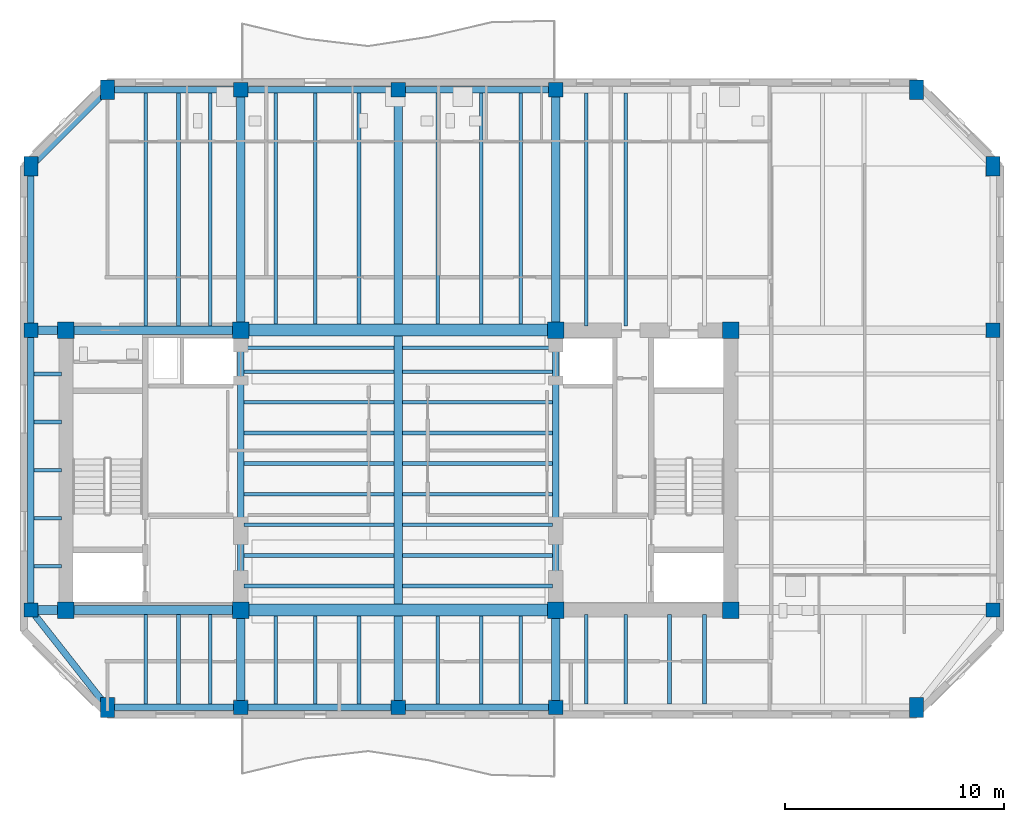
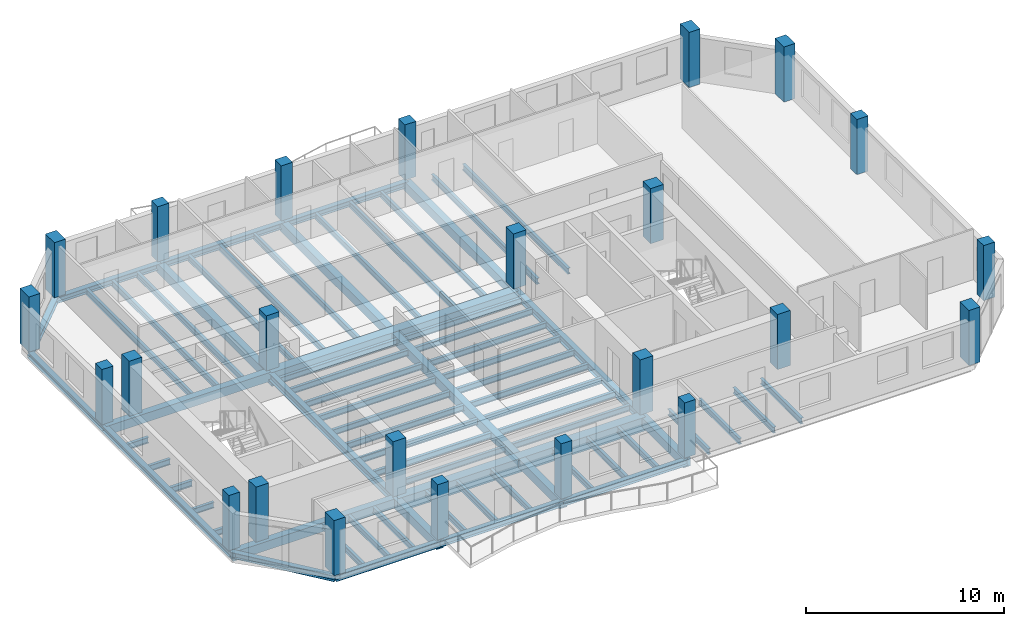
# One storey, part 1 of 9: 70 beams, 24 columns.
"""IFC4 building model written with IfcOpenShell, lengths in metres."""

from ifc_helpers import new_model, si_unit, direction, frame, origin, origin_2d, place, context, subcontext, project, spatial, rectangle, i_section, extrude, material, material_profile, profile_set, type_object, element, save


model = new_model("IFC4")

# Units and contexts
model_context = context("Model", 3, precision=1e-05, world=origin(), true_north=direction((0.0, 1.0)))
body_context = subcontext(model_context, "Body", "Model", "MODEL_VIEW")
ifc_project = project(units=[si_unit("LENGTHUNIT", "METRE"), si_unit("AREAUNIT", "SQUARE_METRE"), si_unit("VOLUMEUNIT", "CUBIC_METRE"), si_unit("PLANEANGLEUNIT", "RADIAN"), si_unit("MASSUNIT", "GRAM", prefix="KILO")], contexts=[model_context])

# Site, building, storey
site_placement = place(None, origin())
site = spatial("IfcSite", under=ifc_project, at=site_placement, CompositionType="ELEMENT")
building_placement = place(site_placement, origin())
building = spatial("IfcBuilding", under=site, at=building_placement, Name="Kranthara Brick Stack", CompositionType="ELEMENT")
storey_placement = place(building_placement, frame((0.0, 0.0, 261.89990234375)))
storey = spatial("IfcBuildingStorey", under=building, at=storey_placement, Name="L69", CompositionType="ELEMENT", Elevation=261.89990234375)

# Columns
ifc_material_1 = material(Name="Concrete C50/60", Category="concrete")
ifc_material_profile_1 = material_profile(ifc_material_1, rectangle(XDim=0.64990234375, YDim=0.89990234375, at=origin_2d()), Name="RC 650x900")
ifc_profile_set_1 = profile_set([ifc_material_profile_1], Name="Concrete C50/60")
column_type_1 = type_object("IfcColumnType", Name="COL-CHAM-650x900", PredefinedType="COLUMN", material=ifc_profile_set_1)
for number, where, z_axis, x_axis, name in (
    (1, (14.699951171875, 16.35009765625, 0.0), (0.0, 0.0, 1.0), (1.0, 0.0, 0.0), "L69 Column 09"),
    (2, (14.699951171875, 44.60009765625, 0.0), (0.0, 0.0, 1.0), (1.0, 0.0, 0.0), "L69 Column 10"),
    (3, (51.699951171875, 16.35009765625, 0.0), (0.0, 0.0, 1.0), (1.0, 0.0, 0.0), "L69 Column 17"),
    (4, (51.699951171875, 44.60009765625, 0.0), (0.0, 0.0, 1.0), (1.0, 0.0, 0.0), "L69 Column 18"),
    (5, (11.199951171875, 41.10009765625, 0.0), (0.0, 0.0, 1.0), (1.0, 0.0, 0.0), "L69 Column 23"),
    (6, (55.199951171875, 41.10009765625, 0.0), (0.0, 0.0, 1.0), (1.0, 0.0, 0.0), "L69 Column 24"),
):
    element("IfcColumn", number, at=place(storey_placement, frame(where, z_axis=z_axis, x_axis=x_axis)), inside=storey, type_object=column_type_1, Name=name, PredefinedType="COLUMN", context=body_context, shape_type="SweptSolid", body=[
        extrude(rectangle(XDim=0.64990234375, YDim=0.89990234375, at=origin_2d()), origin(), (0.0, 0.0, 1.0), 3.400146484375),
    ])
ifc_material_2 = material(Name="Concrete C50/60", Category="concrete")
ifc_material_profile_2 = material_profile(ifc_material_2, rectangle(XDim=0.75, YDim=0.75, at=origin_2d()), Name="RC 750x750")
ifc_profile_set_2 = profile_set([ifc_material_profile_2], Name="Concrete C50/60")
column_type_2 = type_object("IfcColumnType", Name="COL-CORE-750", PredefinedType="COLUMN", material=ifc_profile_set_2)
for number, where, z_axis, x_axis, name in (
    (7, (12.800048828125, 20.800048828125, 0.0), (0.0, 0.0, 1.0), (1.0, 0.0, 0.0), "L69 Column 01"),
    (8, (20.800048828125, 20.800048828125, 0.0), (0.0, 0.0, 1.0), (1.0, 0.0, 0.0), "L69 Column 02"),
    (9, (12.800048828125, 33.60009765625, 0.0), (0.0, 0.0, 1.0), (1.0, 0.0, 0.0), "L69 Column 03"),
    (10, (20.800048828125, 33.60009765625, 0.0), (0.0, 0.0, 1.0), (1.0, 0.0, 0.0), "L69 Column 04"),
    (11, (35.199951171875, 20.800048828125, 0.0), (0.0, 0.0, 1.0), (1.0, 0.0, 0.0), "L69 Column 05"),
    (12, (43.199951171875, 20.800048828125, 0.0), (0.0, 0.0, 1.0), (1.0, 0.0, 0.0), "L69 Column 06"),
    (13, (35.199951171875, 33.60009765625, 0.0), (0.0, 0.0, 1.0), (1.0, 0.0, 0.0), "L69 Column 07"),
    (14, (43.199951171875, 33.60009765625, 0.0), (0.0, 0.0, 1.0), (1.0, 0.0, 0.0), "L69 Column 08"),
):
    element("IfcColumn", number, at=place(storey_placement, frame(where, z_axis=z_axis, x_axis=x_axis)), inside=storey, type_object=column_type_2, Name=name, PredefinedType="COLUMN", context=body_context, shape_type="SweptSolid", body=[
        extrude(rectangle(XDim=0.75, YDim=0.75, at=origin_2d()), origin(), (0.0, 0.0, 1.0), 3.400146484375),
    ])
ifc_material_3 = material(Name="Concrete C50/60", Category="concrete")
ifc_material_profile_3 = material_profile(ifc_material_3, rectangle(XDim=0.64990234375, YDim=0.64990234375, at=origin_2d()), Name="RC 650x650")
ifc_profile_set_3 = profile_set([ifc_material_profile_3], Name="Concrete C50/60")
column_type_3 = type_object("IfcColumnType", Name="COL-PER-650", PredefinedType="COLUMN", material=ifc_profile_set_3)
for number, where, z_axis, x_axis, name in (
    (15, (20.800048828125, 16.35009765625, 0.0), (0.0, 0.0, 1.0), (1.0, 0.0, 0.0), "L69 Column 11"),
    (16, (20.800048828125, 44.60009765625, 0.0), (0.0, 0.0, 1.0), (1.0, 0.0, 0.0), "L69 Column 12"),
    (17, (28.0, 16.35009765625, 0.0), (0.0, 0.0, 1.0), (1.0, 0.0, 0.0), "L69 Column 13"),
    (18, (28.0, 44.60009765625, 0.0), (0.0, 0.0, 1.0), (1.0, 0.0, 0.0), "L69 Column 14"),
    (19, (35.199951171875, 16.35009765625, 0.0), (0.0, 0.0, 1.0), (1.0, 0.0, 0.0), "L69 Column 15"),
    (20, (35.199951171875, 44.60009765625, 0.0), (0.0, 0.0, 1.0), (1.0, 0.0, 0.0), "L69 Column 16"),
    (21, (11.199951171875, 20.800048828125, 0.0), (0.0, 0.0, 1.0), (1.0, 0.0, 0.0), "L69 Column 19"),
    (22, (55.199951171875, 20.800048828125, 0.0), (0.0, 0.0, 1.0), (1.0, 0.0, 0.0), "L69 Column 20"),
    (23, (11.199951171875, 33.60009765625, 0.0), (0.0, 0.0, 1.0), (1.0, 0.0, 0.0), "L69 Column 21"),
    (24, (55.199951171875, 33.60009765625, 0.0), (0.0, 0.0, 1.0), (1.0, 0.0, 0.0), "L69 Column 22"),
):
    element("IfcColumn", number, at=place(storey_placement, frame(where, z_axis=z_axis, x_axis=x_axis)), inside=storey, type_object=column_type_3, Name=name, PredefinedType="COLUMN", context=body_context, shape_type="SweptSolid", body=[
        extrude(rectangle(XDim=0.64990234375, YDim=0.64990234375, at=origin_2d()), origin(), (0.0, 0.0, 1.0), 3.400146484375),
    ])

# Beams
ifc_material_4 = material(Name="Concrete C50/60", Category="concrete")
ifc_material_profile_4 = material_profile(ifc_material_4, rectangle(XDim=0.550048828125, YDim=0.85009765625, at=origin_2d()), Name="RC 550x850")
ifc_profile_set_4 = profile_set([ifc_material_profile_4], Name="Concrete C50/60")
beam_type_1 = type_object("IfcBeamType", Name="BM-CPL-RC850", PredefinedType="LINTEL", material=ifc_profile_set_4)
for number, where, z_axis, x_axis, name in (
    (25, (20.800048828125, 20.800048828125, -0.724853515625), (1.0, 0.0, 0.0), (0.0, 1.0, 0.0), "L69 Core Coupling Beam 001"),
    (26, (20.800048828125, 33.60009765625, -0.724853515625), (1.0, 0.0, 0.0), (0.0, 1.0, 0.0), "L69 Core Coupling Beam 002"),
):
    element("IfcBeam", number, at=place(storey_placement, frame(where, z_axis=z_axis, x_axis=x_axis)), inside=storey, type_object=beam_type_1, Name=name, PredefinedType="LINTEL", context=body_context, shape_type="SweptSolid", body=[
        extrude(rectangle(XDim=0.550048828125, YDim=0.85009765625, at=origin_2d()), origin(), (0.0, 0.0, 1.0), 14.39990234375),
    ])
ifc_material_5 = material(Name="Post-tensioned concrete C45/55", Category="concrete")
ifc_material_profile_5 = material_profile(ifc_material_5, rectangle(XDim=0.39990234375, YDim=0.550048828125, at=origin_2d()), Name="PT 400x550")
ifc_profile_set_5 = profile_set([ifc_material_profile_5], Name="Post-tensioned concrete C45/55")
beam_type_2 = type_object("IfcBeamType", Name="BM-FLR-PT550", PredefinedType="BEAM", material=ifc_profile_set_5)
beam_1_placement = place(storey_placement, frame((20.800048828125, 16.35009765625, -0.574951171875), z_axis=(0.0, 1.0, 0.0), x_axis=(-1.0, 0.0, 0.0)))
element("IfcBeam", 27, at=beam_1_placement, inside=storey, type_object=beam_type_2, Name="L69 Primary Grid Girder 021", PredefinedType="BEAM", context=body_context, shape_type="SweptSolid", body=[
    extrude(rectangle(XDim=0.39990234375, YDim=0.550048828125, at=origin_2d()), origin(), (0.0, 0.0, 1.0), 4.449951171875),
])
beam_2_placement = place(storey_placement, frame((20.800048828125, 33.60009765625, -0.574951171875), z_axis=(0.0, 1.0, 0.0), x_axis=(-1.0, 0.0, 0.0)))
element("IfcBeam", 28, at=beam_2_placement, inside=storey, type_object=beam_type_2, Name="L69 Primary Grid Girder 022", PredefinedType="BEAM", context=body_context, shape_type="SweptSolid", body=[
    extrude(rectangle(XDim=0.39990234375, YDim=0.550048828125, at=origin_2d()), origin(), (0.0, 0.0, 1.0), 11.0),
])
beam_3_placement = place(storey_placement, frame((28.0, 16.35009765625, -0.574951171875), z_axis=(0.0, 1.0, 0.0), x_axis=(-1.0, 0.0, 0.0)))
element("IfcBeam", 29, at=beam_3_placement, inside=storey, type_object=beam_type_2, Name="L69 Primary Grid Girder 023", PredefinedType="BEAM", context=body_context, shape_type="SweptSolid", body=[
    extrude(rectangle(XDim=0.39990234375, YDim=0.550048828125, at=origin_2d()), origin(), (0.0, 0.0, 1.0), 4.1748046875),
])
beam_4_placement = place(storey_placement, frame((28.0, 21.074951171875, -0.574951171875), z_axis=(0.0, 1.0, 0.0), x_axis=(-1.0, 0.0, 0.0)))
element("IfcBeam", 30, at=beam_4_placement, inside=storey, type_object=beam_type_2, Name="L69 Central Spine Girder 024", PredefinedType="BEAM", context=body_context, shape_type="SweptSolid", body=[
    extrude(rectangle(XDim=0.39990234375, YDim=0.550048828125, at=origin_2d()), origin(), (0.0, 0.0, 1.0), 12.25),
])
beam_5_placement = place(storey_placement, frame((28.0, 33.875, -0.574951171875), z_axis=(0.0, 1.0, 0.0), x_axis=(-1.0, 0.0, 0.0)))
element("IfcBeam", 31, at=beam_5_placement, inside=storey, type_object=beam_type_2, Name="L69 Primary Grid Girder 025", PredefinedType="BEAM", context=body_context, shape_type="SweptSolid", body=[
    extrude(rectangle(XDim=0.39990234375, YDim=0.550048828125, at=origin_2d()), origin(), (0.0, 0.0, 1.0), 10.72509765625),
])
beam_6_placement = place(storey_placement, frame((35.199951171875, 16.35009765625, -0.574951171875), z_axis=(0.0, 1.0, 0.0), x_axis=(-1.0, 0.0, 0.0)))
element("IfcBeam", 32, at=beam_6_placement, inside=storey, type_object=beam_type_2, Name="L69 Primary Grid Girder 026", PredefinedType="BEAM", context=body_context, shape_type="SweptSolid", body=[
    extrude(rectangle(XDim=0.39990234375, YDim=0.550048828125, at=origin_2d()), origin(), (0.0, 0.0, 1.0), 4.449951171875),
])
beam_7_placement = place(storey_placement, frame((35.199951171875, 33.60009765625, -0.574951171875), z_axis=(0.0, 1.0, 0.0), x_axis=(-1.0, 0.0, 0.0)))
element("IfcBeam", 33, at=beam_7_placement, inside=storey, type_object=beam_type_2, Name="L69 Primary Grid Girder 027", PredefinedType="BEAM", context=body_context, shape_type="SweptSolid", body=[
    extrude(rectangle(XDim=0.39990234375, YDim=0.550048828125, at=origin_2d()), origin(), (0.0, 0.0, 1.0), 11.0),
])
for number, where, z_axis, x_axis, name in (
    (34, (11.199951171875, 20.800048828125, -0.574951171875), (1.0, 0.0, 0.0), (0.0, 1.0, 0.0), "L69 Primary Grid Girder 028"),
    (35, (11.199951171875, 33.60009765625, -0.574951171875), (1.0, 0.0, 0.0), (0.0, 1.0, 0.0), "L69 Primary Grid Girder 030"),
):
    element("IfcBeam", number, at=place(storey_placement, frame(where, z_axis=z_axis, x_axis=x_axis)), inside=storey, type_object=beam_type_2, Name=name, PredefinedType="BEAM", context=body_context, shape_type="SweptSolid", body=[
        extrude(rectangle(XDim=0.39990234375, YDim=0.550048828125, at=origin_2d()), origin(), (0.0, 0.0, 1.0), 9.60009765625),
    ])
ifc_material_6 = material(Name="Steel S355", Category="steel")
ifc_material_profile_6 = material_profile(ifc_material_6, i_section(OverallWidth=0.169921875, OverallDepth=0.360107421875, WebThickness=0.008056640625, FlangeThickness=0.0126953125, at=origin_2d()), Name="IPE 360")
ifc_profile_set_6 = profile_set([ifc_material_profile_6], Name="Steel S355")
beam_type_3 = type_object("IfcBeamType", Name="BM-JST-IPE360", PredefinedType="JOIST", material=ifc_profile_set_6)
for number, where, z_axis, x_axis, name in (
    (36, (20.949951171875, 21.89990234375, -0.47998046875), (1.0, 0.0, 0.0), (0.0, 1.0, 0.0), "L69 Central Floor Joist 032"),
    (37, (28.199951171875, 21.89990234375, -0.47998046875), (1.0, 0.0, 0.0), (0.0, 1.0, 0.0), "L69 Central Floor Joist 033"),
    (38, (20.949951171875, 23.300048828125, -0.47998046875), (1.0, 0.0, 0.0), (0.0, 1.0, 0.0), "L69 Central Floor Joist 034"),
    (39, (28.199951171875, 23.300048828125, -0.47998046875), (1.0, 0.0, 0.0), (0.0, 1.0, 0.0), "L69 Central Floor Joist 035"),
    (40, (20.949951171875, 24.699951171875, -0.47998046875), (1.0, 0.0, 0.0), (0.0, 1.0, 0.0), "L69 Central Floor Joist 036"),
    (41, (28.199951171875, 24.699951171875, -0.47998046875), (1.0, 0.0, 0.0), (0.0, 1.0, 0.0), "L69 Central Floor Joist 037"),
    (42, (20.949951171875, 26.10009765625, -0.47998046875), (1.0, 0.0, 0.0), (0.0, 1.0, 0.0), "L69 Central Floor Joist 038"),
    (43, (28.199951171875, 26.10009765625, -0.47998046875), (1.0, 0.0, 0.0), (0.0, 1.0, 0.0), "L69 Central Floor Joist 039"),
    (44, (20.949951171875, 27.5, -0.47998046875), (1.0, 0.0, 0.0), (0.0, 1.0, 0.0), "L69 Central Floor Joist 040"),
    (45, (28.199951171875, 27.5, -0.47998046875), (1.0, 0.0, 0.0), (0.0, 1.0, 0.0), "L69 Central Floor Joist 041"),
    (46, (20.949951171875, 28.89990234375, -0.47998046875), (1.0, 0.0, 0.0), (0.0, 1.0, 0.0), "L69 Central Floor Joist 042"),
    (47, (28.199951171875, 28.89990234375, -0.47998046875), (1.0, 0.0, 0.0), (0.0, 1.0, 0.0), "L69 Central Floor Joist 043"),
    (48, (20.949951171875, 30.300048828125, -0.47998046875), (1.0, 0.0, 0.0), (0.0, 1.0, 0.0), "L69 Central Floor Joist 044"),
    (49, (28.199951171875, 30.300048828125, -0.47998046875), (1.0, 0.0, 0.0), (0.0, 1.0, 0.0), "L69 Central Floor Joist 045"),
    (50, (20.949951171875, 31.699951171875, -0.47998046875), (1.0, 0.0, 0.0), (0.0, 1.0, 0.0), "L69 Central Floor Joist 046"),
    (51, (28.199951171875, 31.699951171875, -0.47998046875), (1.0, 0.0, 0.0), (0.0, 1.0, 0.0), "L69 Central Floor Joist 047"),
    (52, (20.949951171875, 32.800048828125, -0.47998046875), (1.0, 0.0, 0.0), (0.0, 1.0, 0.0), "L69 Central Floor Joist 048"),
    (53, (28.199951171875, 32.800048828125, -0.47998046875), (1.0, 0.0, 0.0), (0.0, 1.0, 0.0), "L69 Central Floor Joist 049"),
):
    element("IfcBeam", number, at=place(storey_placement, frame(where, z_axis=z_axis, x_axis=x_axis)), inside=storey, type_object=beam_type_3, Name=name, PredefinedType="JOIST", context=body_context, shape_type="SweptSolid", body=[
        extrude(i_section(OverallWidth=0.169921875, OverallDepth=0.360107421875, WebThickness=0.008056640625, FlangeThickness=0.0126953125, at=origin_2d()), origin(), (0.0, 0.0, 1.0), 6.85009765625),
    ])
beam_8_placement = place(storey_placement, frame((16.449951171875, 16.5, -0.47998046875), z_axis=(0.0, 1.0, 0.0), x_axis=(-1.0, 0.0, 0.0)))
element("IfcBeam", 54, at=beam_8_placement, inside=storey, type_object=beam_type_3, Name="L69 South Wing Floor Joist 050", PredefinedType="JOIST", context=body_context, shape_type="SweptSolid", body=[
    extrude(i_section(OverallWidth=0.169921875, OverallDepth=0.360107421875, WebThickness=0.008056640625, FlangeThickness=0.0126953125, at=origin_2d()), origin(), (0.0, 0.0, 1.0), 4.10009765625),
])
beam_9_placement = place(storey_placement, frame((16.449951171875, 33.800048828125, -0.47998046875), z_axis=(0.0, 1.0, 0.0), x_axis=(-1.0, 0.0, 0.0)))
element("IfcBeam", 55, at=beam_9_placement, inside=storey, type_object=beam_type_3, Name="L69 North Wing Floor Joist 051", PredefinedType="JOIST", context=body_context, shape_type="SweptSolid", body=[
    extrude(i_section(OverallWidth=0.169921875, OverallDepth=0.360107421875, WebThickness=0.008056640625, FlangeThickness=0.0126953125, at=origin_2d()), origin(), (0.0, 0.0, 1.0), 10.64990234375),
])
beam_10_placement = place(storey_placement, frame((17.949951171875, 16.5, -0.47998046875), z_axis=(0.0, 1.0, 0.0), x_axis=(-1.0, 0.0, 0.0)))
element("IfcBeam", 56, at=beam_10_placement, inside=storey, type_object=beam_type_3, Name="L69 South Wing Floor Joist 052", PredefinedType="JOIST", context=body_context, shape_type="SweptSolid", body=[
    extrude(i_section(OverallWidth=0.169921875, OverallDepth=0.360107421875, WebThickness=0.008056640625, FlangeThickness=0.0126953125, at=origin_2d()), origin(), (0.0, 0.0, 1.0), 4.10009765625),
])
beam_11_placement = place(storey_placement, frame((17.949951171875, 33.800048828125, -0.47998046875), z_axis=(0.0, 1.0, 0.0), x_axis=(-1.0, 0.0, 0.0)))
element("IfcBeam", 57, at=beam_11_placement, inside=storey, type_object=beam_type_3, Name="L69 North Wing Floor Joist 053", PredefinedType="JOIST", context=body_context, shape_type="SweptSolid", body=[
    extrude(i_section(OverallWidth=0.169921875, OverallDepth=0.360107421875, WebThickness=0.008056640625, FlangeThickness=0.0126953125, at=origin_2d()), origin(), (0.0, 0.0, 1.0), 10.64990234375),
])
beam_12_placement = place(storey_placement, frame((19.39990234375, 16.5, -0.47998046875), z_axis=(0.0, 1.0, 0.0), x_axis=(-1.0, 0.0, 0.0)))
element("IfcBeam", 58, at=beam_12_placement, inside=storey, type_object=beam_type_3, Name="L69 South Wing Floor Joist 054", PredefinedType="JOIST", context=body_context, shape_type="SweptSolid", body=[
    extrude(i_section(OverallWidth=0.169921875, OverallDepth=0.360107421875, WebThickness=0.008056640625, FlangeThickness=0.0126953125, at=origin_2d()), origin(), (0.0, 0.0, 1.0), 4.10009765625),
])
beam_13_placement = place(storey_placement, frame((19.39990234375, 33.800048828125, -0.47998046875), z_axis=(0.0, 1.0, 0.0), x_axis=(-1.0, 0.0, 0.0)))
element("IfcBeam", 59, at=beam_13_placement, inside=storey, type_object=beam_type_3, Name="L69 North Wing Floor Joist 055", PredefinedType="JOIST", context=body_context, shape_type="SweptSolid", body=[
    extrude(i_section(OverallWidth=0.169921875, OverallDepth=0.360107421875, WebThickness=0.008056640625, FlangeThickness=0.0126953125, at=origin_2d()), origin(), (0.0, 0.0, 1.0), 10.64990234375),
])
beam_14_placement = place(storey_placement, frame((22.39990234375, 16.5, -0.47998046875), z_axis=(0.0, 1.0, 0.0), x_axis=(-1.0, 0.0, 0.0)))
element("IfcBeam", 60, at=beam_14_placement, inside=storey, type_object=beam_type_3, Name="L69 South Wing Floor Joist 056", PredefinedType="JOIST", context=body_context, shape_type="SweptSolid", body=[
    extrude(i_section(OverallWidth=0.169921875, OverallDepth=0.360107421875, WebThickness=0.008056640625, FlangeThickness=0.0126953125, at=origin_2d()), origin(), (0.0, 0.0, 1.0), 4.02490234375),
])
beam_15_placement = place(storey_placement, frame((22.39990234375, 33.875, -0.47998046875), z_axis=(0.0, 1.0, 0.0), x_axis=(-1.0, 0.0, 0.0)))
element("IfcBeam", 61, at=beam_15_placement, inside=storey, type_object=beam_type_3, Name="L69 North Wing Floor Joist 057", PredefinedType="JOIST", context=body_context, shape_type="SweptSolid", body=[
    extrude(i_section(OverallWidth=0.169921875, OverallDepth=0.360107421875, WebThickness=0.008056640625, FlangeThickness=0.0126953125, at=origin_2d()), origin(), (0.0, 0.0, 1.0), 10.574951171875),
])
beam_16_placement = place(storey_placement, frame((24.199951171875, 16.5, -0.47998046875), z_axis=(0.0, 1.0, 0.0), x_axis=(-1.0, 0.0, 0.0)))
element("IfcBeam", 62, at=beam_16_placement, inside=storey, type_object=beam_type_3, Name="L69 South Wing Floor Joist 058", PredefinedType="JOIST", context=body_context, shape_type="SweptSolid", body=[
    extrude(i_section(OverallWidth=0.169921875, OverallDepth=0.360107421875, WebThickness=0.008056640625, FlangeThickness=0.0126953125, at=origin_2d()), origin(), (0.0, 0.0, 1.0), 4.02490234375),
])
beam_17_placement = place(storey_placement, frame((24.199951171875, 33.875, -0.47998046875), z_axis=(0.0, 1.0, 0.0), x_axis=(-1.0, 0.0, 0.0)))
element("IfcBeam", 63, at=beam_17_placement, inside=storey, type_object=beam_type_3, Name="L69 North Wing Floor Joist 059", PredefinedType="JOIST", context=body_context, shape_type="SweptSolid", body=[
    extrude(i_section(OverallWidth=0.169921875, OverallDepth=0.360107421875, WebThickness=0.008056640625, FlangeThickness=0.0126953125, at=origin_2d()), origin(), (0.0, 0.0, 1.0), 10.574951171875),
])
beam_18_placement = place(storey_placement, frame((26.199951171875, 16.5, -0.47998046875), z_axis=(0.0, 1.0, 0.0), x_axis=(-1.0, 0.0, 0.0)))
element("IfcBeam", 64, at=beam_18_placement, inside=storey, type_object=beam_type_3, Name="L69 South Wing Floor Joist 060", PredefinedType="JOIST", context=body_context, shape_type="SweptSolid", body=[
    extrude(i_section(OverallWidth=0.169921875, OverallDepth=0.360107421875, WebThickness=0.008056640625, FlangeThickness=0.0126953125, at=origin_2d()), origin(), (0.0, 0.0, 1.0), 4.02490234375),
])
beam_19_placement = place(storey_placement, frame((26.199951171875, 33.875, -0.47998046875), z_axis=(0.0, 1.0, 0.0), x_axis=(-1.0, 0.0, 0.0)))
element("IfcBeam", 65, at=beam_19_placement, inside=storey, type_object=beam_type_3, Name="L69 North Wing Floor Joist 061", PredefinedType="JOIST", context=body_context, shape_type="SweptSolid", body=[
    extrude(i_section(OverallWidth=0.169921875, OverallDepth=0.360107421875, WebThickness=0.008056640625, FlangeThickness=0.0126953125, at=origin_2d()), origin(), (0.0, 0.0, 1.0), 10.574951171875),
])
beam_20_placement = place(storey_placement, frame((29.800048828125, 16.5, -0.47998046875), z_axis=(0.0, 1.0, 0.0), x_axis=(-1.0, 0.0, 0.0)))
element("IfcBeam", 66, at=beam_20_placement, inside=storey, type_object=beam_type_3, Name="L69 South Wing Floor Joist 062", PredefinedType="JOIST", context=body_context, shape_type="SweptSolid", body=[
    extrude(i_section(OverallWidth=0.169921875, OverallDepth=0.360107421875, WebThickness=0.008056640625, FlangeThickness=0.0126953125, at=origin_2d()), origin(), (0.0, 0.0, 1.0), 4.02490234375),
])
beam_21_placement = place(storey_placement, frame((29.800048828125, 33.875, -0.47998046875), z_axis=(0.0, 1.0, 0.0), x_axis=(-1.0, 0.0, 0.0)))
element("IfcBeam", 67, at=beam_21_placement, inside=storey, type_object=beam_type_3, Name="L69 North Wing Floor Joist 063", PredefinedType="JOIST", context=body_context, shape_type="SweptSolid", body=[
    extrude(i_section(OverallWidth=0.169921875, OverallDepth=0.360107421875, WebThickness=0.008056640625, FlangeThickness=0.0126953125, at=origin_2d()), origin(), (0.0, 0.0, 1.0), 10.574951171875),
])
beam_22_placement = place(storey_placement, frame((31.800048828125, 16.5, -0.47998046875), z_axis=(0.0, 1.0, 0.0), x_axis=(-1.0, 0.0, 0.0)))
element("IfcBeam", 68, at=beam_22_placement, inside=storey, type_object=beam_type_3, Name="L69 South Wing Floor Joist 064", PredefinedType="JOIST", context=body_context, shape_type="SweptSolid", body=[
    extrude(i_section(OverallWidth=0.169921875, OverallDepth=0.360107421875, WebThickness=0.008056640625, FlangeThickness=0.0126953125, at=origin_2d()), origin(), (0.0, 0.0, 1.0), 4.02490234375),
])
beam_23_placement = place(storey_placement, frame((31.800048828125, 33.875, -0.47998046875), z_axis=(0.0, 1.0, 0.0), x_axis=(-1.0, 0.0, 0.0)))
element("IfcBeam", 69, at=beam_23_placement, inside=storey, type_object=beam_type_3, Name="L69 North Wing Floor Joist 065", PredefinedType="JOIST", context=body_context, shape_type="SweptSolid", body=[
    extrude(i_section(OverallWidth=0.169921875, OverallDepth=0.360107421875, WebThickness=0.008056640625, FlangeThickness=0.0126953125, at=origin_2d()), origin(), (0.0, 0.0, 1.0), 10.574951171875),
])
beam_24_placement = place(storey_placement, frame((33.60009765625, 16.5, -0.47998046875), z_axis=(0.0, 1.0, 0.0), x_axis=(-1.0, 0.0, 0.0)))
element("IfcBeam", 70, at=beam_24_placement, inside=storey, type_object=beam_type_3, Name="L69 South Wing Floor Joist 066", PredefinedType="JOIST", context=body_context, shape_type="SweptSolid", body=[
    extrude(i_section(OverallWidth=0.169921875, OverallDepth=0.360107421875, WebThickness=0.008056640625, FlangeThickness=0.0126953125, at=origin_2d()), origin(), (0.0, 0.0, 1.0), 4.02490234375),
])
beam_25_placement = place(storey_placement, frame((33.60009765625, 33.875, -0.47998046875), z_axis=(0.0, 1.0, 0.0), x_axis=(-1.0, 0.0, 0.0)))
element("IfcBeam", 71, at=beam_25_placement, inside=storey, type_object=beam_type_3, Name="L69 North Wing Floor Joist 067", PredefinedType="JOIST", context=body_context, shape_type="SweptSolid", body=[
    extrude(i_section(OverallWidth=0.169921875, OverallDepth=0.360107421875, WebThickness=0.008056640625, FlangeThickness=0.0126953125, at=origin_2d()), origin(), (0.0, 0.0, 1.0), 10.574951171875),
])
beam_26_placement = place(storey_placement, frame((36.60009765625, 16.5, -0.47998046875), z_axis=(0.0, 1.0, 0.0), x_axis=(-1.0, 0.0, 0.0)))
element("IfcBeam", 72, at=beam_26_placement, inside=storey, type_object=beam_type_3, Name="L69 South Wing Floor Joist 068", PredefinedType="JOIST", context=body_context, shape_type="SweptSolid", body=[
    extrude(i_section(OverallWidth=0.169921875, OverallDepth=0.360107421875, WebThickness=0.008056640625, FlangeThickness=0.0126953125, at=origin_2d()), origin(), (0.0, 0.0, 1.0), 4.10009765625),
])
beam_27_placement = place(storey_placement, frame((36.60009765625, 33.800048828125, -0.47998046875), z_axis=(0.0, 1.0, 0.0), x_axis=(-1.0, 0.0, 0.0)))
element("IfcBeam", 73, at=beam_27_placement, inside=storey, type_object=beam_type_3, Name="L69 North Wing Floor Joist 069", PredefinedType="JOIST", context=body_context, shape_type="SweptSolid", body=[
    extrude(i_section(OverallWidth=0.169921875, OverallDepth=0.360107421875, WebThickness=0.008056640625, FlangeThickness=0.0126953125, at=origin_2d()), origin(), (0.0, 0.0, 1.0), 10.64990234375),
])
beam_28_placement = place(storey_placement, frame((38.39990234375, 16.5, -0.47998046875), z_axis=(0.0, 1.0, 0.0), x_axis=(-1.0, 0.0, 0.0)))
element("IfcBeam", 74, at=beam_28_placement, inside=storey, type_object=beam_type_3, Name="L69 South Wing Floor Joist 070", PredefinedType="JOIST", context=body_context, shape_type="SweptSolid", body=[
    extrude(i_section(OverallWidth=0.169921875, OverallDepth=0.360107421875, WebThickness=0.008056640625, FlangeThickness=0.0126953125, at=origin_2d()), origin(), (0.0, 0.0, 1.0), 4.10009765625),
])
beam_29_placement = place(storey_placement, frame((38.39990234375, 33.800048828125, -0.47998046875), z_axis=(0.0, 1.0, 0.0), x_axis=(-1.0, 0.0, 0.0)))
element("IfcBeam", 75, at=beam_29_placement, inside=storey, type_object=beam_type_3, Name="L69 North Wing Floor Joist 071", PredefinedType="JOIST", context=body_context, shape_type="SweptSolid", body=[
    extrude(i_section(OverallWidth=0.169921875, OverallDepth=0.360107421875, WebThickness=0.008056640625, FlangeThickness=0.0126953125, at=origin_2d()), origin(), (0.0, 0.0, 1.0), 10.64990234375),
])
for number, where, z_axis, x_axis, name in (
    (76, (40.39990234375, 16.5, -0.47998046875), (0.0, 1.0, 0.0), (-1.0, 0.0, 0.0), "L69 South Wing Floor Joist 072"),
    (77, (42.0, 16.5, -0.47998046875), (0.0, 1.0, 0.0), (-1.0, 0.0, 0.0), "L69 South Wing Floor Joist 074"),
):
    element("IfcBeam", number, at=place(storey_placement, frame(where, z_axis=z_axis, x_axis=x_axis)), inside=storey, type_object=beam_type_3, Name=name, PredefinedType="JOIST", context=body_context, shape_type="SweptSolid", body=[
        extrude(i_section(OverallWidth=0.169921875, OverallDepth=0.360107421875, WebThickness=0.008056640625, FlangeThickness=0.0126953125, at=origin_2d()), origin(), (0.0, 0.0, 1.0), 4.10009765625),
    ])
for number, where, z_axis, x_axis, name in (
    (78, (11.35009765625, 22.800048828125, -0.47998046875), (1.0, 0.0, 0.0), (0.0, 1.0, 0.0), "L69 West Wing Floor Joist 082"),
    (79, (11.35009765625, 25.0, -0.47998046875), (1.0, 0.0, 0.0), (0.0, 1.0, 0.0), "L69 West Wing Floor Joist 084"),
    (80, (11.35009765625, 27.199951171875, -0.47998046875), (1.0, 0.0, 0.0), (0.0, 1.0, 0.0), "L69 West Wing Floor Joist 086"),
    (81, (11.35009765625, 29.39990234375, -0.47998046875), (1.0, 0.0, 0.0), (0.0, 1.0, 0.0), "L69 West Wing Floor Joist 088"),
    (82, (11.35009765625, 31.60009765625, -0.47998046875), (1.0, 0.0, 0.0), (0.0, 1.0, 0.0), "L69 West Wing Floor Joist 090"),
):
    element("IfcBeam", number, at=place(storey_placement, frame(where, z_axis=z_axis, x_axis=x_axis)), inside=storey, type_object=beam_type_3, Name=name, PredefinedType="JOIST", context=body_context, shape_type="SweptSolid", body=[
        extrude(i_section(OverallWidth=0.169921875, OverallDepth=0.360107421875, WebThickness=0.008056640625, FlangeThickness=0.0126953125, at=origin_2d()), origin(), (0.0, 0.0, 1.0), 1.25),
    ])
ifc_material_7 = material(Name="Steel S355", Category="steel")
ifc_material_profile_7 = material_profile(ifc_material_7, i_section(OverallWidth=0.300048828125, OverallDepth=0.360107421875, WebThickness=0.012451171875, FlangeThickness=0.0224609375, at=origin_2d()), Name="HEB 360")
ifc_profile_set_7 = profile_set([ifc_material_profile_7], Name="Steel S355")
beam_type_4 = type_object("IfcBeamType", Name="BM-STL-HEB360", PredefinedType="SPANDREL", material=ifc_profile_set_7)
beam_30_placement = place(storey_placement, frame((14.699951171875, 16.35009765625, -0.47998046875), z_axis=(1.0, 0.0, 0.0), x_axis=(0.0, 1.0, 0.0)))
element("IfcBeam", 83, at=beam_30_placement, inside=storey, type_object=beam_type_4, Name="L69 Perimeter Spandrel Beam 005", PredefinedType="SPANDREL", context=body_context, shape_type="SweptSolid", body=[
    extrude(i_section(OverallWidth=0.300048828125, OverallDepth=0.360107421875, WebThickness=0.012451171875, FlangeThickness=0.0224609375, at=origin_2d()), origin(), (0.0, 0.0, 1.0), 6.10009765625),
])
for number, where, z_axis, x_axis, name in (
    (84, (20.800048828125, 16.35009765625, -0.47998046875), (1.0, 0.0, 0.0), (0.0, 1.0, 0.0), "L69 Perimeter Spandrel Beam 006"),
    (85, (28.0, 16.35009765625, -0.47998046875), (1.0, 0.0, 0.0), (0.0, 1.0, 0.0), "L69 Perimeter Spandrel Beam 007"),
):
    element("IfcBeam", number, at=place(storey_placement, frame(where, z_axis=z_axis, x_axis=x_axis)), inside=storey, type_object=beam_type_4, Name=name, PredefinedType="SPANDREL", context=body_context, shape_type="SweptSolid", body=[
        extrude(i_section(OverallWidth=0.300048828125, OverallDepth=0.360107421875, WebThickness=0.012451171875, FlangeThickness=0.0224609375, at=origin_2d()), origin(), (0.0, 0.0, 1.0), 7.199951171875),
    ])
beam_31_placement = place(storey_placement, frame((14.699951171875, 44.60009765625, -0.47998046875), z_axis=(1.0, 0.0, 0.0), x_axis=(0.0, 1.0, 0.0)))
element("IfcBeam", 86, at=beam_31_placement, inside=storey, type_object=beam_type_4, Name="L69 Perimeter Spandrel Beam 009", PredefinedType="SPANDREL", context=body_context, shape_type="SweptSolid", body=[
    extrude(i_section(OverallWidth=0.300048828125, OverallDepth=0.360107421875, WebThickness=0.012451171875, FlangeThickness=0.0224609375, at=origin_2d()), origin(), (0.0, 0.0, 1.0), 6.10009765625),
])
for number, where, z_axis, x_axis, name in (
    (87, (20.800048828125, 44.60009765625, -0.47998046875), (1.0, 0.0, 0.0), (0.0, 1.0, 0.0), "L69 Perimeter Spandrel Beam 010"),
    (88, (28.0, 44.60009765625, -0.47998046875), (1.0, 0.0, 0.0), (0.0, 1.0, 0.0), "L69 Perimeter Spandrel Beam 011"),
):
    element("IfcBeam", number, at=place(storey_placement, frame(where, z_axis=z_axis, x_axis=x_axis)), inside=storey, type_object=beam_type_4, Name=name, PredefinedType="SPANDREL", context=body_context, shape_type="SweptSolid", body=[
        extrude(i_section(OverallWidth=0.300048828125, OverallDepth=0.360107421875, WebThickness=0.012451171875, FlangeThickness=0.0224609375, at=origin_2d()), origin(), (0.0, 0.0, 1.0), 7.199951171875),
    ])
beam_32_placement = place(storey_placement, frame((11.199951171875, 20.800048828125, -0.47998046875), z_axis=(0.0, 1.0, 0.0), x_axis=(-1.0, 0.0, 0.0)))
element("IfcBeam", 89, at=beam_32_placement, inside=storey, type_object=beam_type_4, Name="L69 Perimeter Spandrel Beam 013", PredefinedType="SPANDREL", context=body_context, shape_type="SweptSolid", body=[
    extrude(i_section(OverallWidth=0.300048828125, OverallDepth=0.360107421875, WebThickness=0.012451171875, FlangeThickness=0.0224609375, at=origin_2d()), origin(), (0.0, 0.0, 1.0), 12.800048828125),
])
beam_33_placement = place(storey_placement, frame((11.199951171875, 33.60009765625, -0.47998046875), z_axis=(0.0, 1.0, 0.0), x_axis=(-1.0, 0.0, 0.0)))
element("IfcBeam", 90, at=beam_33_placement, inside=storey, type_object=beam_type_4, Name="L69 Perimeter Spandrel Beam 014", PredefinedType="SPANDREL", context=body_context, shape_type="SweptSolid", body=[
    extrude(i_section(OverallWidth=0.300048828125, OverallDepth=0.360107421875, WebThickness=0.012451171875, FlangeThickness=0.0224609375, at=origin_2d()), origin(), (0.0, 0.0, 1.0), 7.5),
])
beam_34_placement = place(storey_placement, frame((14.699951171875, 16.35009765625, -0.47998046875), z_axis=(-0.618215705636, 0.78600848679, 0.0), x_axis=(-0.78600848679, -0.618215705636, 0.0)))
element("IfcBeam", 91, at=beam_34_placement, inside=storey, type_object=beam_type_4, Name="L69 Chamfer Corner Spandrel 017", PredefinedType="SPANDREL", context=body_context, shape_type="SweptSolid", body=[
    extrude(i_section(OverallWidth=0.300048828125, OverallDepth=0.360107421875, WebThickness=0.012451171875, FlangeThickness=0.0224609375, at=origin_2d()), origin(), (0.0, 0.0, 1.0), 5.661376953125),
])
beam_35_placement = place(storey_placement, frame((14.699951171875, 44.60009765625, -0.47998046875), z_axis=(-0.707106781187, -0.707106781187, 0.0), x_axis=(0.707106781187, -0.707106781187, 0.0)))
element("IfcBeam", 92, at=beam_35_placement, inside=storey, type_object=beam_type_4, Name="L69 Chamfer Corner Spandrel 019", PredefinedType="SPANDREL", context=body_context, shape_type="SweptSolid", body=[
    extrude(i_section(OverallWidth=0.300048828125, OverallDepth=0.360107421875, WebThickness=0.012451171875, FlangeThickness=0.0224609375, at=origin_2d()), origin(), (0.0, 0.0, 1.0), 4.94970703125),
])
ifc_material_8 = material(Name="Steel S355", Category="steel")
ifc_material_profile_8 = material_profile(ifc_material_8, i_section(OverallWidth=0.300048828125, OverallDepth=0.449951171875, WebThickness=0.013916015625, FlangeThickness=0.02587890625, at=origin_2d()), Name="HEB 450")
ifc_profile_set_8 = profile_set([ifc_material_profile_8], Name="Steel S355")
beam_type_5 = type_object("IfcBeamType", Name="BM-STL-HEB450", PredefinedType="SPANDREL", material=ifc_profile_set_8)
for number, where, z_axis, x_axis, name in (
    (93, (20.800048828125, 20.800048828125, -0.52490234375), (0.0, 1.0, 0.0), (-1.0, 0.0, 0.0), "L69 Core Edge Tie Beam 003"),
    (94, (35.199951171875, 20.800048828125, -0.52490234375), (0.0, 1.0, 0.0), (-1.0, 0.0, 0.0), "L69 Core Edge Tie Beam 004"),
):
    element("IfcBeam", number, at=place(storey_placement, frame(where, z_axis=z_axis, x_axis=x_axis)), inside=storey, type_object=beam_type_5, Name=name, PredefinedType="SPANDREL", context=body_context, shape_type="SweptSolid", body=[
        extrude(i_section(OverallWidth=0.300048828125, OverallDepth=0.449951171875, WebThickness=0.013916015625, FlangeThickness=0.02587890625, at=origin_2d()), origin(), (0.0, 0.0, 1.0), 12.800048828125),
    ])

save(model, "model.ifc")
